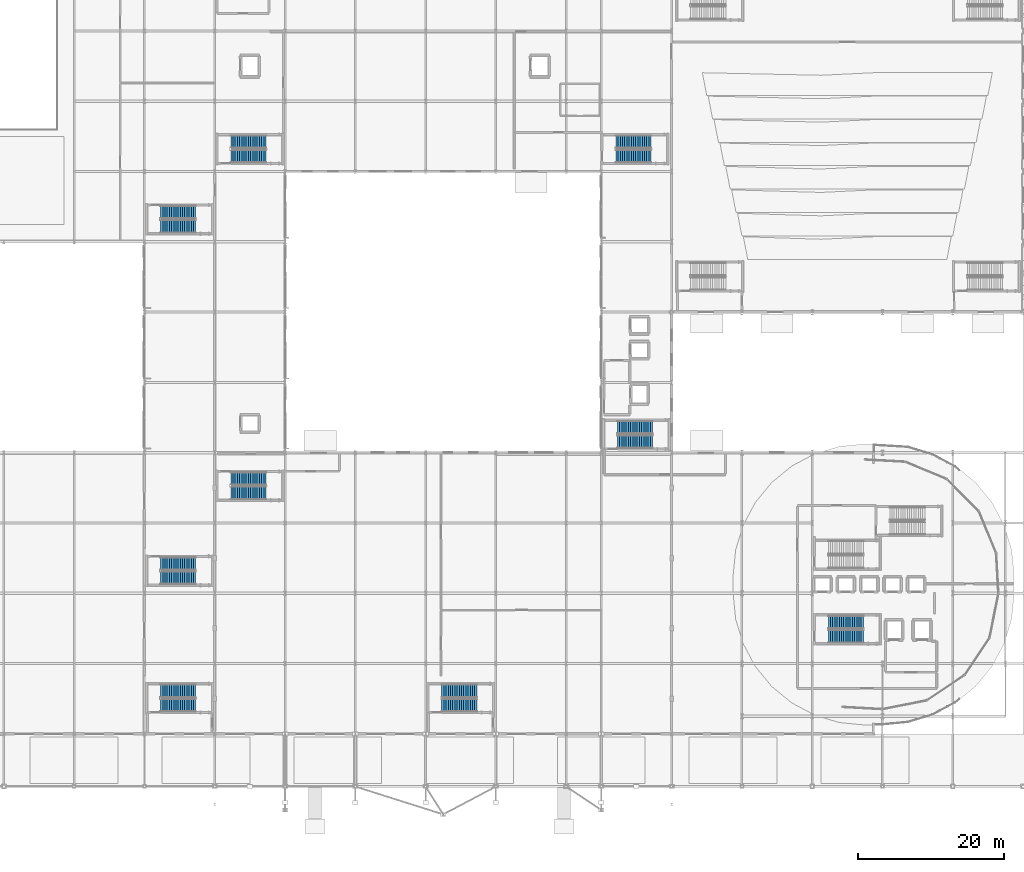
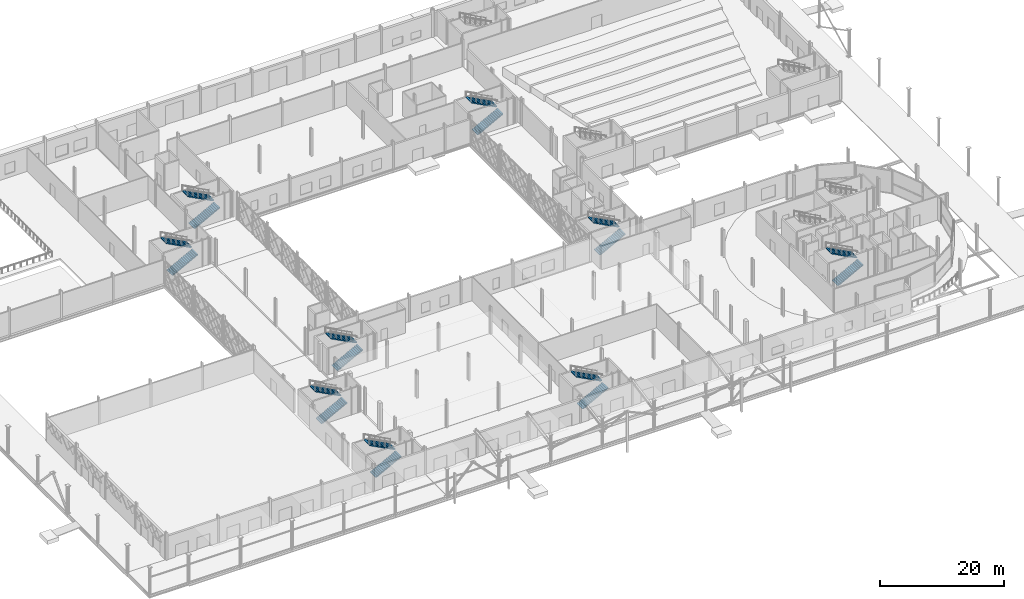
# One storey, part 61 of 84: 18 stair flights, 9 elements without a shape of their own.
"""IFC4 building model written with IfcOpenShell, lengths in metres."""

from ifc_helpers import new_model, si_unit, direction, frame, origin, place, context, subcontext, project, spatial, polyline, outline, extrude, material, layer, layer_set, type_object, element, aggregate, save


model = new_model("IFC4")

# Units and contexts
model_context = context("Model", 3, precision=1e-05, world=origin(), true_north=direction((0.0, 1.0)))
body_context = subcontext(model_context, "Body", "Model", "MODEL_VIEW")
ifc_project = project(units=[si_unit("LENGTHUNIT", "METRE"), si_unit("AREAUNIT", "SQUARE_METRE"), si_unit("VOLUMEUNIT", "CUBIC_METRE"), si_unit("PLANEANGLEUNIT", "RADIAN"), si_unit("MASSUNIT", "GRAM", prefix="KILO")], contexts=[model_context])

# Site, building, storey
site_placement = place(None, origin())
site = spatial("IfcSite", under=ifc_project, at=site_placement, CompositionType="ELEMENT")
building_placement = place(site_placement, origin())
building = spatial("IfcBuilding", under=site, at=building_placement, Name="Zevrakil Square Congress Hotel", CompositionType="ELEMENT")
storey_placement = place(building_placement, origin())
storey = spatial("IfcBuildingStorey", under=building, at=storey_placement, Name="L01", CompositionType="ELEMENT", Elevation=0.0)

# Stair, stair flights
ifc_material_1 = material(Name="Concrete C35/45", Category="concrete")
stair_type = type_object("IfcStairType", Name="STR-DOGLEG-180", PredefinedType="HALF_TURN_STAIR", material=ifc_material_1)
stair_1_placement = place(storey_placement, origin())
stair_1 = element("IfcStair", 1, at=stair_1_placement, inside=storey, type_object=stair_type, Name="L01 Protected exit stair ST01", PredefinedType="HALF_TURN_STAIR")
ifc_material_2 = material(Name="Concrete C35/45", Category="concrete")
ifc_layer = layer(ifc_material_2, 0.159912109375)
ifc_layer_set = layer_set([ifc_layer], Name="Concrete C35/45")
stair_flight_type = type_object("IfcStairFlightType", Name="SFL-STRAIGHT-180", PredefinedType="STRAIGHT", material=ifc_layer_set)
stair_flight_1_placement = place(storey_placement, frame((139.0, 20.5, 0.0), z_axis=(0.0, 0.0, 1.0), x_axis=(1.0, 0.0, 0.0)))
stair_flight_1 = element("IfcStairFlight", 2, at=stair_flight_1_placement, type_object=stair_flight_type, Name="ST01 flight 1", NumberOfRisers=17, NumberOfTreads=16, PredefinedType="STRAIGHT", RiserHeight=0.158823529, TreadLength=0.3, context=body_context, shape_type="SweptSolid", body=[
    extrude(outline(polyline([(0.0, 0.0), (0.0, 0.158935546875), (0.300048828125, 0.158935546875), (0.300048828125, 0.317626953125), (0.60009765625, 0.317626953125), (0.60009765625, 0.4765625), (0.89990234375, 0.4765625), (0.89990234375, 0.63525390625), (1.199951171875, 0.63525390625), (1.199951171875, 0.794189453125), (1.5, 0.794189453125), (1.5, 0.952880859375), (1.800048828125, 0.952880859375), (1.800048828125, 1.11181640625), (2.10009765625, 1.11181640625), (2.10009765625, 1.2705078125), (2.39990234375, 1.2705078125), (2.39990234375, 1.429443359375), (2.699951171875, 1.429443359375), (2.699951171875, 1.588134765625), (3.0, 1.588134765625), (3.0, 1.7470703125), (3.300048828125, 1.7470703125), (3.300048828125, 1.90576171875), (3.60009765625, 1.90576171875), (3.60009765625, 2.064697265625), (3.89990234375, 2.064697265625), (3.89990234375, 2.2236328125), (4.199951171875, 2.2236328125), (4.199951171875, 2.38232421875), (4.5, 2.38232421875), (4.5, 2.541259765625), (4.800048828125, 2.541259765625), (4.800048828125, 2.699951171875), (4.800048828125, 2.37158203125), (0.3203125, 0.0), (0.0, 0.0)])), frame((0.0, 0.89990234375, 0.0), z_axis=(0.0, -1.0, 0.0), x_axis=(1.0, 0.0, 0.0)), (0.0, 0.0, 1.0), 1.800048828125),
])
stair_flight_2_placement = place(storey_placement, frame((143.800048828125, 22.449951171875, 2.699951171875), z_axis=(0.0, 0.0, 1.0), x_axis=(-1.0, 0.0, 0.0)))
stair_flight_2 = element("IfcStairFlight", 3, at=stair_flight_2_placement, type_object=stair_flight_type, Name="ST01 flight 2", NumberOfRisers=17, NumberOfTreads=16, PredefinedType="STRAIGHT", RiserHeight=0.158823529, TreadLength=0.3, context=body_context, shape_type="SweptSolid", body=[
    extrude(outline(polyline([(0.0, 0.0), (0.0, 0.158935546875), (0.300048828125, 0.158935546875), (0.300048828125, 0.317626953125), (0.60009765625, 0.317626953125), (0.60009765625, 0.4765625), (0.89990234375, 0.4765625), (0.89990234375, 0.63525390625), (1.199951171875, 0.63525390625), (1.199951171875, 0.794189453125), (1.5, 0.794189453125), (1.5, 0.952880859375), (1.800048828125, 0.952880859375), (1.800048828125, 1.11181640625), (2.10009765625, 1.11181640625), (2.10009765625, 1.2705078125), (2.39990234375, 1.2705078125), (2.39990234375, 1.429443359375), (2.699951171875, 1.429443359375), (2.699951171875, 1.588134765625), (3.0, 1.588134765625), (3.0, 1.7470703125), (3.300048828125, 1.7470703125), (3.300048828125, 1.90576171875), (3.60009765625, 1.90576171875), (3.60009765625, 2.064697265625), (3.89990234375, 2.064697265625), (3.89990234375, 2.2236328125), (4.199951171875, 2.2236328125), (4.199951171875, 2.38232421875), (4.5, 2.38232421875), (4.5, 2.541259765625), (4.800048828125, 2.541259765625), (4.800048828125, 2.699951171875), (4.800048828125, 2.37158203125), (0.3203125, 0.0), (0.0, 0.0)])), frame((0.0, 0.89990234375, 0.0), z_axis=(0.0, -1.0, 0.0), x_axis=(1.0, 0.0, 0.0)), (0.0, 0.0, 1.0), 1.800048828125),
])
aggregate(stair_1, [stair_flight_1, stair_flight_2])

stair_2_placement = place(storey_placement, origin())
stair_2 = element("IfcStair", 4, at=stair_2_placement, inside=storey, type_object=stair_type, Name="L01 Protected exit stair ST04", PredefinedType="HALF_TURN_STAIR")
stair_flight_3_placement = place(storey_placement, frame((57.39990234375, 40.10009765625, 0.0), z_axis=(0.0, 0.0, 1.0), x_axis=(1.0, 0.0, 0.0)))
stair_flight_3 = element("IfcStairFlight", 5, at=stair_flight_3_placement, type_object=stair_flight_type, Name="ST04 flight 1", NumberOfRisers=17, NumberOfTreads=16, PredefinedType="STRAIGHT", RiserHeight=0.158823529, TreadLength=0.3, context=body_context, shape_type="SweptSolid", body=[
    extrude(outline(polyline([(0.0, 0.0), (0.0, 0.158935546875), (0.300048828125, 0.158935546875), (0.300048828125, 0.317626953125), (0.60009765625, 0.317626953125), (0.60009765625, 0.4765625), (0.89990234375, 0.4765625), (0.89990234375, 0.63525390625), (1.199951171875, 0.63525390625), (1.199951171875, 0.794189453125), (1.5, 0.794189453125), (1.5, 0.952880859375), (1.800048828125, 0.952880859375), (1.800048828125, 1.11181640625), (2.10009765625, 1.11181640625), (2.10009765625, 1.2705078125), (2.39990234375, 1.2705078125), (2.39990234375, 1.429443359375), (2.699951171875, 1.429443359375), (2.699951171875, 1.588134765625), (3.0, 1.588134765625), (3.0, 1.7470703125), (3.300048828125, 1.7470703125), (3.300048828125, 1.90576171875), (3.60009765625, 1.90576171875), (3.60009765625, 2.064697265625), (3.89990234375, 2.064697265625), (3.89990234375, 2.2236328125), (4.199951171875, 2.2236328125), (4.199951171875, 2.38232421875), (4.5, 2.38232421875), (4.5, 2.541259765625), (4.800048828125, 2.541259765625), (4.800048828125, 2.699951171875), (4.800048828125, 2.37158203125), (0.3203125, 0.0), (0.0, 0.0)])), frame((0.0, 0.89990234375, 0.0), z_axis=(0.0, -1.0, 0.0), x_axis=(1.0, 0.0, 0.0)), (0.0, 0.0, 1.0), 1.800048828125),
])
stair_flight_4_placement = place(storey_placement, frame((62.199951171875, 42.050048828125, 2.699951171875), z_axis=(0.0, 0.0, 1.0), x_axis=(-1.0, 0.0, 0.0)))
stair_flight_4 = element("IfcStairFlight", 6, at=stair_flight_4_placement, type_object=stair_flight_type, Name="ST04 flight 2", NumberOfRisers=17, NumberOfTreads=16, PredefinedType="STRAIGHT", RiserHeight=0.158823529, TreadLength=0.3, context=body_context, shape_type="SweptSolid", body=[
    extrude(outline(polyline([(0.0, 0.0), (0.0, 0.158935546875), (0.300048828125, 0.158935546875), (0.300048828125, 0.317626953125), (0.60009765625, 0.317626953125), (0.60009765625, 0.4765625), (0.89990234375, 0.4765625), (0.89990234375, 0.63525390625), (1.199951171875, 0.63525390625), (1.199951171875, 0.794189453125), (1.5, 0.794189453125), (1.5, 0.952880859375), (1.800048828125, 0.952880859375), (1.800048828125, 1.11181640625), (2.10009765625, 1.11181640625), (2.10009765625, 1.2705078125), (2.39990234375, 1.2705078125), (2.39990234375, 1.429443359375), (2.699951171875, 1.429443359375), (2.699951171875, 1.588134765625), (3.0, 1.588134765625), (3.0, 1.7470703125), (3.300048828125, 1.7470703125), (3.300048828125, 1.90576171875), (3.60009765625, 1.90576171875), (3.60009765625, 2.064697265625), (3.89990234375, 2.064697265625), (3.89990234375, 2.2236328125), (4.199951171875, 2.2236328125), (4.199951171875, 2.38232421875), (4.5, 2.38232421875), (4.5, 2.541259765625), (4.800048828125, 2.541259765625), (4.800048828125, 2.699951171875), (4.800048828125, 2.37158203125), (0.3203125, 0.0), (0.0, 0.0)])), frame((0.0, 0.89990234375, 0.0), z_axis=(0.0, -1.0, 0.0), x_axis=(1.0, 0.0, 0.0)), (0.0, 0.0, 1.0), 1.800048828125),
])
aggregate(stair_2, [stair_flight_3, stair_flight_4])

stair_3_placement = place(storey_placement, origin())
stair_3 = element("IfcStair", 7, at=stair_3_placement, inside=storey, type_object=stair_type, Name="L01 Protected exit stair ST05", PredefinedType="HALF_TURN_STAIR")
stair_flight_5_placement = place(storey_placement, frame((57.39990234375, 86.10009765625, 0.0), z_axis=(0.0, 0.0, 1.0), x_axis=(1.0, 0.0, 0.0)))
stair_flight_5 = element("IfcStairFlight", 8, at=stair_flight_5_placement, type_object=stair_flight_type, Name="ST05 flight 1", NumberOfRisers=17, NumberOfTreads=16, PredefinedType="STRAIGHT", RiserHeight=0.158823529, TreadLength=0.3, context=body_context, shape_type="SweptSolid", body=[
    extrude(outline(polyline([(0.0, 0.0), (0.0, 0.158935546875), (0.300048828125, 0.158935546875), (0.300048828125, 0.317626953125), (0.60009765625, 0.317626953125), (0.60009765625, 0.4765625), (0.89990234375, 0.4765625), (0.89990234375, 0.63525390625), (1.199951171875, 0.63525390625), (1.199951171875, 0.794189453125), (1.5, 0.794189453125), (1.5, 0.952880859375), (1.800048828125, 0.952880859375), (1.800048828125, 1.11181640625), (2.10009765625, 1.11181640625), (2.10009765625, 1.2705078125), (2.39990234375, 1.2705078125), (2.39990234375, 1.429443359375), (2.699951171875, 1.429443359375), (2.699951171875, 1.588134765625), (3.0, 1.588134765625), (3.0, 1.7470703125), (3.300048828125, 1.7470703125), (3.300048828125, 1.90576171875), (3.60009765625, 1.90576171875), (3.60009765625, 2.064697265625), (3.89990234375, 2.064697265625), (3.89990234375, 2.2236328125), (4.199951171875, 2.2236328125), (4.199951171875, 2.38232421875), (4.5, 2.38232421875), (4.5, 2.541259765625), (4.800048828125, 2.541259765625), (4.800048828125, 2.699951171875), (4.800048828125, 2.37158203125), (0.3203125, 0.0), (0.0, 0.0)])), frame((0.0, 0.89990234375, 0.0), z_axis=(0.0, -1.0, 0.0), x_axis=(1.0, 0.0, 0.0)), (0.0, 0.0, 1.0), 1.800048828125),
])
stair_flight_6_placement = place(storey_placement, frame((62.199951171875, 88.050048828125, 2.699951171875), z_axis=(0.0, 0.0, 1.0), x_axis=(-1.0, 0.0, 0.0)))
stair_flight_6 = element("IfcStairFlight", 9, at=stair_flight_6_placement, type_object=stair_flight_type, Name="ST05 flight 2", NumberOfRisers=17, NumberOfTreads=16, PredefinedType="STRAIGHT", RiserHeight=0.158823529, TreadLength=0.3, context=body_context, shape_type="SweptSolid", body=[
    extrude(outline(polyline([(0.0, 0.0), (0.0, 0.158935546875), (0.300048828125, 0.158935546875), (0.300048828125, 0.317626953125), (0.60009765625, 0.317626953125), (0.60009765625, 0.4765625), (0.89990234375, 0.4765625), (0.89990234375, 0.63525390625), (1.199951171875, 0.63525390625), (1.199951171875, 0.794189453125), (1.5, 0.794189453125), (1.5, 0.952880859375), (1.800048828125, 0.952880859375), (1.800048828125, 1.11181640625), (2.10009765625, 1.11181640625), (2.10009765625, 1.2705078125), (2.39990234375, 1.2705078125), (2.39990234375, 1.429443359375), (2.699951171875, 1.429443359375), (2.699951171875, 1.588134765625), (3.0, 1.588134765625), (3.0, 1.7470703125), (3.300048828125, 1.7470703125), (3.300048828125, 1.90576171875), (3.60009765625, 1.90576171875), (3.60009765625, 2.064697265625), (3.89990234375, 2.064697265625), (3.89990234375, 2.2236328125), (4.199951171875, 2.2236328125), (4.199951171875, 2.38232421875), (4.5, 2.38232421875), (4.5, 2.541259765625), (4.800048828125, 2.541259765625), (4.800048828125, 2.699951171875), (4.800048828125, 2.37158203125), (0.3203125, 0.0), (0.0, 0.0)])), frame((0.0, 0.89990234375, 0.0), z_axis=(0.0, -1.0, 0.0), x_axis=(1.0, 0.0, 0.0)), (0.0, 0.0, 1.0), 1.800048828125),
])
aggregate(stair_3, [stair_flight_5, stair_flight_6])

stair_4_placement = place(storey_placement, origin())
stair_4 = element("IfcStair", 10, at=stair_4_placement, inside=storey, type_object=stair_type, Name="L01 Protected exit stair ST06", PredefinedType="HALF_TURN_STAIR")
stair_flight_7_placement = place(storey_placement, frame((110.0, 86.10009765625, 0.0), z_axis=(0.0, 0.0, 1.0), x_axis=(1.0, 0.0, 0.0)))
stair_flight_7 = element("IfcStairFlight", 11, at=stair_flight_7_placement, type_object=stair_flight_type, Name="ST06 flight 1", NumberOfRisers=17, NumberOfTreads=16, PredefinedType="STRAIGHT", RiserHeight=0.158823529, TreadLength=0.3, context=body_context, shape_type="SweptSolid", body=[
    extrude(outline(polyline([(0.0, 0.0), (0.0, 0.158935546875), (0.300048828125, 0.158935546875), (0.300048828125, 0.317626953125), (0.60009765625, 0.317626953125), (0.60009765625, 0.4765625), (0.89990234375, 0.4765625), (0.89990234375, 0.63525390625), (1.199951171875, 0.63525390625), (1.199951171875, 0.794189453125), (1.5, 0.794189453125), (1.5, 0.952880859375), (1.800048828125, 0.952880859375), (1.800048828125, 1.11181640625), (2.10009765625, 1.11181640625), (2.10009765625, 1.2705078125), (2.39990234375, 1.2705078125), (2.39990234375, 1.429443359375), (2.699951171875, 1.429443359375), (2.699951171875, 1.588134765625), (3.0, 1.588134765625), (3.0, 1.7470703125), (3.300048828125, 1.7470703125), (3.300048828125, 1.90576171875), (3.60009765625, 1.90576171875), (3.60009765625, 2.064697265625), (3.89990234375, 2.064697265625), (3.89990234375, 2.2236328125), (4.199951171875, 2.2236328125), (4.199951171875, 2.38232421875), (4.5, 2.38232421875), (4.5, 2.541259765625), (4.800048828125, 2.541259765625), (4.800048828125, 2.699951171875), (4.800048828125, 2.37158203125), (0.3203125, 0.0), (0.0, 0.0)])), frame((0.0, 0.89990234375, 0.0), z_axis=(0.0, -1.0, 0.0), x_axis=(1.0, 0.0, 0.0)), (0.0, 0.0, 1.0), 1.800048828125),
])
stair_flight_8_placement = place(storey_placement, frame((114.800048828125, 88.050048828125, 2.699951171875), z_axis=(0.0, 0.0, 1.0), x_axis=(-1.0, 0.0, 0.0)))
stair_flight_8 = element("IfcStairFlight", 12, at=stair_flight_8_placement, type_object=stair_flight_type, Name="ST06 flight 2", NumberOfRisers=17, NumberOfTreads=16, PredefinedType="STRAIGHT", RiserHeight=0.158823529, TreadLength=0.3, context=body_context, shape_type="SweptSolid", body=[
    extrude(outline(polyline([(0.0, 0.0), (0.0, 0.158935546875), (0.300048828125, 0.158935546875), (0.300048828125, 0.317626953125), (0.60009765625, 0.317626953125), (0.60009765625, 0.4765625), (0.89990234375, 0.4765625), (0.89990234375, 0.63525390625), (1.199951171875, 0.63525390625), (1.199951171875, 0.794189453125), (1.5, 0.794189453125), (1.5, 0.952880859375), (1.800048828125, 0.952880859375), (1.800048828125, 1.11181640625), (2.10009765625, 1.11181640625), (2.10009765625, 1.2705078125), (2.39990234375, 1.2705078125), (2.39990234375, 1.429443359375), (2.699951171875, 1.429443359375), (2.699951171875, 1.588134765625), (3.0, 1.588134765625), (3.0, 1.7470703125), (3.300048828125, 1.7470703125), (3.300048828125, 1.90576171875), (3.60009765625, 1.90576171875), (3.60009765625, 2.064697265625), (3.89990234375, 2.064697265625), (3.89990234375, 2.2236328125), (4.199951171875, 2.2236328125), (4.199951171875, 2.38232421875), (4.5, 2.38232421875), (4.5, 2.541259765625), (4.800048828125, 2.541259765625), (4.800048828125, 2.699951171875), (4.800048828125, 2.37158203125), (0.3203125, 0.0), (0.0, 0.0)])), frame((0.0, 0.89990234375, 0.0), z_axis=(0.0, -1.0, 0.0), x_axis=(1.0, 0.0, 0.0)), (0.0, 0.0, 1.0), 1.800048828125),
])
aggregate(stair_4, [stair_flight_7, stair_flight_8])

stair_5_placement = place(storey_placement, origin())
stair_5 = element("IfcStair", 13, at=stair_5_placement, inside=storey, type_object=stair_type, Name="L01 Protected exit stair ST07", PredefinedType="HALF_TURN_STAIR")
stair_flight_9_placement = place(storey_placement, frame((110.199951171875, 47.10009765625, 0.0), z_axis=(0.0, 0.0, 1.0), x_axis=(1.0, 0.0, 0.0)))
stair_flight_9 = element("IfcStairFlight", 14, at=stair_flight_9_placement, type_object=stair_flight_type, Name="ST07 flight 1", NumberOfRisers=17, NumberOfTreads=16, PredefinedType="STRAIGHT", RiserHeight=0.158823529, TreadLength=0.3, context=body_context, shape_type="SweptSolid", body=[
    extrude(outline(polyline([(0.0, 0.0), (0.0, 0.158935546875), (0.300048828125, 0.158935546875), (0.300048828125, 0.317626953125), (0.60009765625, 0.317626953125), (0.60009765625, 0.4765625), (0.89990234375, 0.4765625), (0.89990234375, 0.63525390625), (1.199951171875, 0.63525390625), (1.199951171875, 0.794189453125), (1.5, 0.794189453125), (1.5, 0.952880859375), (1.800048828125, 0.952880859375), (1.800048828125, 1.11181640625), (2.10009765625, 1.11181640625), (2.10009765625, 1.2705078125), (2.39990234375, 1.2705078125), (2.39990234375, 1.429443359375), (2.699951171875, 1.429443359375), (2.699951171875, 1.588134765625), (3.0, 1.588134765625), (3.0, 1.7470703125), (3.300048828125, 1.7470703125), (3.300048828125, 1.90576171875), (3.60009765625, 1.90576171875), (3.60009765625, 2.064697265625), (3.89990234375, 2.064697265625), (3.89990234375, 2.2236328125), (4.199951171875, 2.2236328125), (4.199951171875, 2.38232421875), (4.5, 2.38232421875), (4.5, 2.541259765625), (4.800048828125, 2.541259765625), (4.800048828125, 2.699951171875), (4.800048828125, 2.37158203125), (0.3203125, 0.0), (0.0, 0.0)])), frame((0.0, 0.89990234375, 0.0), z_axis=(0.0, -1.0, 0.0), x_axis=(1.0, 0.0, 0.0)), (0.0, 0.0, 1.0), 1.800048828125),
])
stair_flight_10_placement = place(storey_placement, frame((115.0, 49.050048828125, 2.699951171875), z_axis=(0.0, 0.0, 1.0), x_axis=(-1.0, 0.0, 0.0)))
stair_flight_10 = element("IfcStairFlight", 15, at=stair_flight_10_placement, type_object=stair_flight_type, Name="ST07 flight 2", NumberOfRisers=17, NumberOfTreads=16, PredefinedType="STRAIGHT", RiserHeight=0.158823529, TreadLength=0.3, context=body_context, shape_type="SweptSolid", body=[
    extrude(outline(polyline([(0.0, 0.0), (0.0, 0.158935546875), (0.300048828125, 0.158935546875), (0.300048828125, 0.317626953125), (0.60009765625, 0.317626953125), (0.60009765625, 0.4765625), (0.89990234375, 0.4765625), (0.89990234375, 0.63525390625), (1.199951171875, 0.63525390625), (1.199951171875, 0.794189453125), (1.5, 0.794189453125), (1.5, 0.952880859375), (1.800048828125, 0.952880859375), (1.800048828125, 1.11181640625), (2.10009765625, 1.11181640625), (2.10009765625, 1.2705078125), (2.39990234375, 1.2705078125), (2.39990234375, 1.429443359375), (2.699951171875, 1.429443359375), (2.699951171875, 1.588134765625), (3.0, 1.588134765625), (3.0, 1.7470703125), (3.300048828125, 1.7470703125), (3.300048828125, 1.90576171875), (3.60009765625, 1.90576171875), (3.60009765625, 2.064697265625), (3.89990234375, 2.064697265625), (3.89990234375, 2.2236328125), (4.199951171875, 2.2236328125), (4.199951171875, 2.38232421875), (4.5, 2.38232421875), (4.5, 2.541259765625), (4.800048828125, 2.541259765625), (4.800048828125, 2.699951171875), (4.800048828125, 2.37158203125), (0.3203125, 0.0), (0.0, 0.0)])), frame((0.0, 0.89990234375, 0.0), z_axis=(0.0, -1.0, 0.0), x_axis=(1.0, 0.0, 0.0)), (0.0, 0.0, 1.0), 1.800048828125),
])
aggregate(stair_5, [stair_flight_9, stair_flight_10])

stair_6_placement = place(storey_placement, origin())
stair_6 = element("IfcStair", 16, at=stair_6_placement, inside=storey, type_object=stair_type, Name="L01 Protected exit stair ST12", PredefinedType="HALF_TURN_STAIR")
stair_flight_11_placement = place(storey_placement, frame((47.800048828125, 11.10009765625, 0.0), z_axis=(0.0, 0.0, 1.0), x_axis=(1.0, 0.0, 0.0)))
stair_flight_11 = element("IfcStairFlight", 17, at=stair_flight_11_placement, type_object=stair_flight_type, Name="ST12 flight 1", NumberOfRisers=17, NumberOfTreads=16, PredefinedType="STRAIGHT", RiserHeight=0.158823529, TreadLength=0.3, context=body_context, shape_type="SweptSolid", body=[
    extrude(outline(polyline([(0.0, 0.0), (0.0, 0.158935546875), (0.300048828125, 0.158935546875), (0.300048828125, 0.317626953125), (0.60009765625, 0.317626953125), (0.60009765625, 0.4765625), (0.89990234375, 0.4765625), (0.89990234375, 0.63525390625), (1.199951171875, 0.63525390625), (1.199951171875, 0.794189453125), (1.5, 0.794189453125), (1.5, 0.952880859375), (1.800048828125, 0.952880859375), (1.800048828125, 1.11181640625), (2.10009765625, 1.11181640625), (2.10009765625, 1.2705078125), (2.39990234375, 1.2705078125), (2.39990234375, 1.429443359375), (2.699951171875, 1.429443359375), (2.699951171875, 1.588134765625), (3.0, 1.588134765625), (3.0, 1.7470703125), (3.300048828125, 1.7470703125), (3.300048828125, 1.90576171875), (3.60009765625, 1.90576171875), (3.60009765625, 2.064697265625), (3.89990234375, 2.064697265625), (3.89990234375, 2.2236328125), (4.199951171875, 2.2236328125), (4.199951171875, 2.38232421875), (4.5, 2.38232421875), (4.5, 2.541259765625), (4.800048828125, 2.541259765625), (4.800048828125, 2.699951171875), (4.800048828125, 2.37158203125), (0.3203125, 0.0), (0.0, 0.0)])), frame((0.0, 0.89990234375, 0.0), z_axis=(0.0, -1.0, 0.0), x_axis=(1.0, 0.0, 0.0)), (0.0, 0.0, 1.0), 1.800048828125),
])
stair_flight_12_placement = place(storey_placement, frame((52.60009765625, 13.050048828125, 2.699951171875), z_axis=(0.0, 0.0, 1.0), x_axis=(-1.0, 0.0, 0.0)))
stair_flight_12 = element("IfcStairFlight", 18, at=stair_flight_12_placement, type_object=stair_flight_type, Name="ST12 flight 2", NumberOfRisers=17, NumberOfTreads=16, PredefinedType="STRAIGHT", RiserHeight=0.158823529, TreadLength=0.3, context=body_context, shape_type="SweptSolid", body=[
    extrude(outline(polyline([(0.0, 0.0), (0.0, 0.158935546875), (0.300048828125, 0.158935546875), (0.300048828125, 0.317626953125), (0.60009765625, 0.317626953125), (0.60009765625, 0.4765625), (0.89990234375, 0.4765625), (0.89990234375, 0.63525390625), (1.199951171875, 0.63525390625), (1.199951171875, 0.794189453125), (1.5, 0.794189453125), (1.5, 0.952880859375), (1.800048828125, 0.952880859375), (1.800048828125, 1.11181640625), (2.10009765625, 1.11181640625), (2.10009765625, 1.2705078125), (2.39990234375, 1.2705078125), (2.39990234375, 1.429443359375), (2.699951171875, 1.429443359375), (2.699951171875, 1.588134765625), (3.0, 1.588134765625), (3.0, 1.7470703125), (3.300048828125, 1.7470703125), (3.300048828125, 1.90576171875), (3.60009765625, 1.90576171875), (3.60009765625, 2.064697265625), (3.89990234375, 2.064697265625), (3.89990234375, 2.2236328125), (4.199951171875, 2.2236328125), (4.199951171875, 2.38232421875), (4.5, 2.38232421875), (4.5, 2.541259765625), (4.800048828125, 2.541259765625), (4.800048828125, 2.699951171875), (4.800048828125, 2.37158203125), (0.3203125, 0.0), (0.0, 0.0)])), frame((0.0, 0.89990234375, 0.0), z_axis=(0.0, -1.0, 0.0), x_axis=(1.0, 0.0, 0.0)), (0.0, 0.0, 1.0), 1.800048828125),
])
aggregate(stair_6, [stair_flight_11, stair_flight_12])

stair_7_placement = place(storey_placement, origin())
stair_7 = element("IfcStair", 19, at=stair_7_placement, inside=storey, type_object=stair_type, Name="L01 Protected exit stair ST13", PredefinedType="HALF_TURN_STAIR")
stair_flight_13_placement = place(storey_placement, frame((47.800048828125, 28.5, 0.0), z_axis=(0.0, 0.0, 1.0), x_axis=(1.0, 0.0, 0.0)))
stair_flight_13 = element("IfcStairFlight", 20, at=stair_flight_13_placement, type_object=stair_flight_type, Name="ST13 flight 1", NumberOfRisers=17, NumberOfTreads=16, PredefinedType="STRAIGHT", RiserHeight=0.158823529, TreadLength=0.3, context=body_context, shape_type="SweptSolid", body=[
    extrude(outline(polyline([(0.0, 0.0), (0.0, 0.158935546875), (0.300048828125, 0.158935546875), (0.300048828125, 0.317626953125), (0.60009765625, 0.317626953125), (0.60009765625, 0.4765625), (0.89990234375, 0.4765625), (0.89990234375, 0.63525390625), (1.199951171875, 0.63525390625), (1.199951171875, 0.794189453125), (1.5, 0.794189453125), (1.5, 0.952880859375), (1.800048828125, 0.952880859375), (1.800048828125, 1.11181640625), (2.10009765625, 1.11181640625), (2.10009765625, 1.2705078125), (2.39990234375, 1.2705078125), (2.39990234375, 1.429443359375), (2.699951171875, 1.429443359375), (2.699951171875, 1.588134765625), (3.0, 1.588134765625), (3.0, 1.7470703125), (3.300048828125, 1.7470703125), (3.300048828125, 1.90576171875), (3.60009765625, 1.90576171875), (3.60009765625, 2.064697265625), (3.89990234375, 2.064697265625), (3.89990234375, 2.2236328125), (4.199951171875, 2.2236328125), (4.199951171875, 2.38232421875), (4.5, 2.38232421875), (4.5, 2.541259765625), (4.800048828125, 2.541259765625), (4.800048828125, 2.699951171875), (4.800048828125, 2.37158203125), (0.3203125, 0.0), (0.0, 0.0)])), frame((0.0, 0.89990234375, 0.0), z_axis=(0.0, -1.0, 0.0), x_axis=(1.0, 0.0, 0.0)), (0.0, 0.0, 1.0), 1.800048828125),
])
stair_flight_14_placement = place(storey_placement, frame((52.60009765625, 30.449951171875, 2.699951171875), z_axis=(0.0, 0.0, 1.0), x_axis=(-1.0, 0.0, 0.0)))
stair_flight_14 = element("IfcStairFlight", 21, at=stair_flight_14_placement, type_object=stair_flight_type, Name="ST13 flight 2", NumberOfRisers=17, NumberOfTreads=16, PredefinedType="STRAIGHT", RiserHeight=0.158823529, TreadLength=0.3, context=body_context, shape_type="SweptSolid", body=[
    extrude(outline(polyline([(0.0, 0.0), (0.0, 0.158935546875), (0.300048828125, 0.158935546875), (0.300048828125, 0.317626953125), (0.60009765625, 0.317626953125), (0.60009765625, 0.4765625), (0.89990234375, 0.4765625), (0.89990234375, 0.63525390625), (1.199951171875, 0.63525390625), (1.199951171875, 0.794189453125), (1.5, 0.794189453125), (1.5, 0.952880859375), (1.800048828125, 0.952880859375), (1.800048828125, 1.11181640625), (2.10009765625, 1.11181640625), (2.10009765625, 1.2705078125), (2.39990234375, 1.2705078125), (2.39990234375, 1.429443359375), (2.699951171875, 1.429443359375), (2.699951171875, 1.588134765625), (3.0, 1.588134765625), (3.0, 1.7470703125), (3.300048828125, 1.7470703125), (3.300048828125, 1.90576171875), (3.60009765625, 1.90576171875), (3.60009765625, 2.064697265625), (3.89990234375, 2.064697265625), (3.89990234375, 2.2236328125), (4.199951171875, 2.2236328125), (4.199951171875, 2.38232421875), (4.5, 2.38232421875), (4.5, 2.541259765625), (4.800048828125, 2.541259765625), (4.800048828125, 2.699951171875), (4.800048828125, 2.37158203125), (0.3203125, 0.0), (0.0, 0.0)])), frame((0.0, 0.89990234375, 0.0), z_axis=(0.0, -1.0, 0.0), x_axis=(1.0, 0.0, 0.0)), (0.0, 0.0, 1.0), 1.800048828125),
])
aggregate(stair_7, [stair_flight_13, stair_flight_14])

stair_8_placement = place(storey_placement, origin())
stair_8 = element("IfcStair", 22, at=stair_8_placement, inside=storey, type_object=stair_type, Name="L01 Protected exit stair ST14", PredefinedType="HALF_TURN_STAIR")
stair_flight_15_placement = place(storey_placement, frame((47.800048828125, 76.5, 0.0), z_axis=(0.0, 0.0, 1.0), x_axis=(1.0, 0.0, 0.0)))
stair_flight_15 = element("IfcStairFlight", 23, at=stair_flight_15_placement, type_object=stair_flight_type, Name="ST14 flight 1", NumberOfRisers=17, NumberOfTreads=16, PredefinedType="STRAIGHT", RiserHeight=0.158823529, TreadLength=0.3, context=body_context, shape_type="SweptSolid", body=[
    extrude(outline(polyline([(0.0, 0.0), (0.0, 0.158935546875), (0.300048828125, 0.158935546875), (0.300048828125, 0.317626953125), (0.60009765625, 0.317626953125), (0.60009765625, 0.4765625), (0.89990234375, 0.4765625), (0.89990234375, 0.63525390625), (1.199951171875, 0.63525390625), (1.199951171875, 0.794189453125), (1.5, 0.794189453125), (1.5, 0.952880859375), (1.800048828125, 0.952880859375), (1.800048828125, 1.11181640625), (2.10009765625, 1.11181640625), (2.10009765625, 1.2705078125), (2.39990234375, 1.2705078125), (2.39990234375, 1.429443359375), (2.699951171875, 1.429443359375), (2.699951171875, 1.588134765625), (3.0, 1.588134765625), (3.0, 1.7470703125), (3.300048828125, 1.7470703125), (3.300048828125, 1.90576171875), (3.60009765625, 1.90576171875), (3.60009765625, 2.064697265625), (3.89990234375, 2.064697265625), (3.89990234375, 2.2236328125), (4.199951171875, 2.2236328125), (4.199951171875, 2.38232421875), (4.5, 2.38232421875), (4.5, 2.541259765625), (4.800048828125, 2.541259765625), (4.800048828125, 2.699951171875), (4.800048828125, 2.37158203125), (0.3203125, 0.0), (0.0, 0.0)])), frame((0.0, 0.89990234375, 0.0), z_axis=(0.0, -1.0, 0.0), x_axis=(1.0, 0.0, 0.0)), (0.0, 0.0, 1.0), 1.800048828125),
])
stair_flight_16_placement = place(storey_placement, frame((52.60009765625, 78.449951171875, 2.699951171875), z_axis=(0.0, 0.0, 1.0), x_axis=(-1.0, 0.0, 0.0)))
stair_flight_16 = element("IfcStairFlight", 24, at=stair_flight_16_placement, type_object=stair_flight_type, Name="ST14 flight 2", NumberOfRisers=17, NumberOfTreads=16, PredefinedType="STRAIGHT", RiserHeight=0.158823529, TreadLength=0.3, context=body_context, shape_type="SweptSolid", body=[
    extrude(outline(polyline([(0.0, 0.0), (0.0, 0.158935546875), (0.300048828125, 0.158935546875), (0.300048828125, 0.317626953125), (0.60009765625, 0.317626953125), (0.60009765625, 0.4765625), (0.89990234375, 0.4765625), (0.89990234375, 0.63525390625), (1.199951171875, 0.63525390625), (1.199951171875, 0.794189453125), (1.5, 0.794189453125), (1.5, 0.952880859375), (1.800048828125, 0.952880859375), (1.800048828125, 1.11181640625), (2.10009765625, 1.11181640625), (2.10009765625, 1.2705078125), (2.39990234375, 1.2705078125), (2.39990234375, 1.429443359375), (2.699951171875, 1.429443359375), (2.699951171875, 1.588134765625), (3.0, 1.588134765625), (3.0, 1.7470703125), (3.300048828125, 1.7470703125), (3.300048828125, 1.90576171875), (3.60009765625, 1.90576171875), (3.60009765625, 2.064697265625), (3.89990234375, 2.064697265625), (3.89990234375, 2.2236328125), (4.199951171875, 2.2236328125), (4.199951171875, 2.38232421875), (4.5, 2.38232421875), (4.5, 2.541259765625), (4.800048828125, 2.541259765625), (4.800048828125, 2.699951171875), (4.800048828125, 2.37158203125), (0.3203125, 0.0), (0.0, 0.0)])), frame((0.0, 0.89990234375, 0.0), z_axis=(0.0, -1.0, 0.0), x_axis=(1.0, 0.0, 0.0)), (0.0, 0.0, 1.0), 1.800048828125),
])
aggregate(stair_8, [stair_flight_15, stair_flight_16])

stair_9_placement = place(storey_placement, origin())
stair_9 = element("IfcStair", 25, at=stair_9_placement, inside=storey, type_object=stair_type, Name="L01 Protected exit stair ST15", PredefinedType="HALF_TURN_STAIR")
stair_flight_17_placement = place(storey_placement, frame((86.199951171875, 11.10009765625, 0.0), z_axis=(0.0, 0.0, 1.0), x_axis=(1.0, 0.0, 0.0)))
stair_flight_17 = element("IfcStairFlight", 26, at=stair_flight_17_placement, type_object=stair_flight_type, Name="ST15 flight 1", NumberOfRisers=17, NumberOfTreads=16, PredefinedType="STRAIGHT", RiserHeight=0.158823529, TreadLength=0.3, context=body_context, shape_type="SweptSolid", body=[
    extrude(outline(polyline([(0.0, 0.0), (0.0, 0.158935546875), (0.300048828125, 0.158935546875), (0.300048828125, 0.317626953125), (0.60009765625, 0.317626953125), (0.60009765625, 0.4765625), (0.89990234375, 0.4765625), (0.89990234375, 0.63525390625), (1.199951171875, 0.63525390625), (1.199951171875, 0.794189453125), (1.5, 0.794189453125), (1.5, 0.952880859375), (1.800048828125, 0.952880859375), (1.800048828125, 1.11181640625), (2.10009765625, 1.11181640625), (2.10009765625, 1.2705078125), (2.39990234375, 1.2705078125), (2.39990234375, 1.429443359375), (2.699951171875, 1.429443359375), (2.699951171875, 1.588134765625), (3.0, 1.588134765625), (3.0, 1.7470703125), (3.300048828125, 1.7470703125), (3.300048828125, 1.90576171875), (3.60009765625, 1.90576171875), (3.60009765625, 2.064697265625), (3.89990234375, 2.064697265625), (3.89990234375, 2.2236328125), (4.199951171875, 2.2236328125), (4.199951171875, 2.38232421875), (4.5, 2.38232421875), (4.5, 2.541259765625), (4.800048828125, 2.541259765625), (4.800048828125, 2.699951171875), (4.800048828125, 2.37158203125), (0.3203125, 0.0), (0.0, 0.0)])), frame((0.0, 0.89990234375, 0.0), z_axis=(0.0, -1.0, 0.0), x_axis=(1.0, 0.0, 0.0)), (0.0, 0.0, 1.0), 1.800048828125),
])
stair_flight_18_placement = place(storey_placement, frame((91.0, 13.050048828125, 2.699951171875), z_axis=(0.0, 0.0, 1.0), x_axis=(-1.0, 0.0, 0.0)))
stair_flight_18 = element("IfcStairFlight", 27, at=stair_flight_18_placement, type_object=stair_flight_type, Name="ST15 flight 2", NumberOfRisers=17, NumberOfTreads=16, PredefinedType="STRAIGHT", RiserHeight=0.158823529, TreadLength=0.3, context=body_context, shape_type="SweptSolid", body=[
    extrude(outline(polyline([(0.0, 0.0), (0.0, 0.158935546875), (0.300048828125, 0.158935546875), (0.300048828125, 0.317626953125), (0.60009765625, 0.317626953125), (0.60009765625, 0.4765625), (0.89990234375, 0.4765625), (0.89990234375, 0.63525390625), (1.199951171875, 0.63525390625), (1.199951171875, 0.794189453125), (1.5, 0.794189453125), (1.5, 0.952880859375), (1.800048828125, 0.952880859375), (1.800048828125, 1.11181640625), (2.10009765625, 1.11181640625), (2.10009765625, 1.2705078125), (2.39990234375, 1.2705078125), (2.39990234375, 1.429443359375), (2.699951171875, 1.429443359375), (2.699951171875, 1.588134765625), (3.0, 1.588134765625), (3.0, 1.7470703125), (3.300048828125, 1.7470703125), (3.300048828125, 1.90576171875), (3.60009765625, 1.90576171875), (3.60009765625, 2.064697265625), (3.89990234375, 2.064697265625), (3.89990234375, 2.2236328125), (4.199951171875, 2.2236328125), (4.199951171875, 2.38232421875), (4.5, 2.38232421875), (4.5, 2.541259765625), (4.800048828125, 2.541259765625), (4.800048828125, 2.699951171875), (4.800048828125, 2.37158203125), (0.3203125, 0.0), (0.0, 0.0)])), frame((0.0, 0.89990234375, 0.0), z_axis=(0.0, -1.0, 0.0), x_axis=(1.0, 0.0, 0.0)), (0.0, 0.0, 1.0), 1.800048828125),
])
aggregate(stair_9, [stair_flight_17, stair_flight_18])

save(model, "model.ifc")
